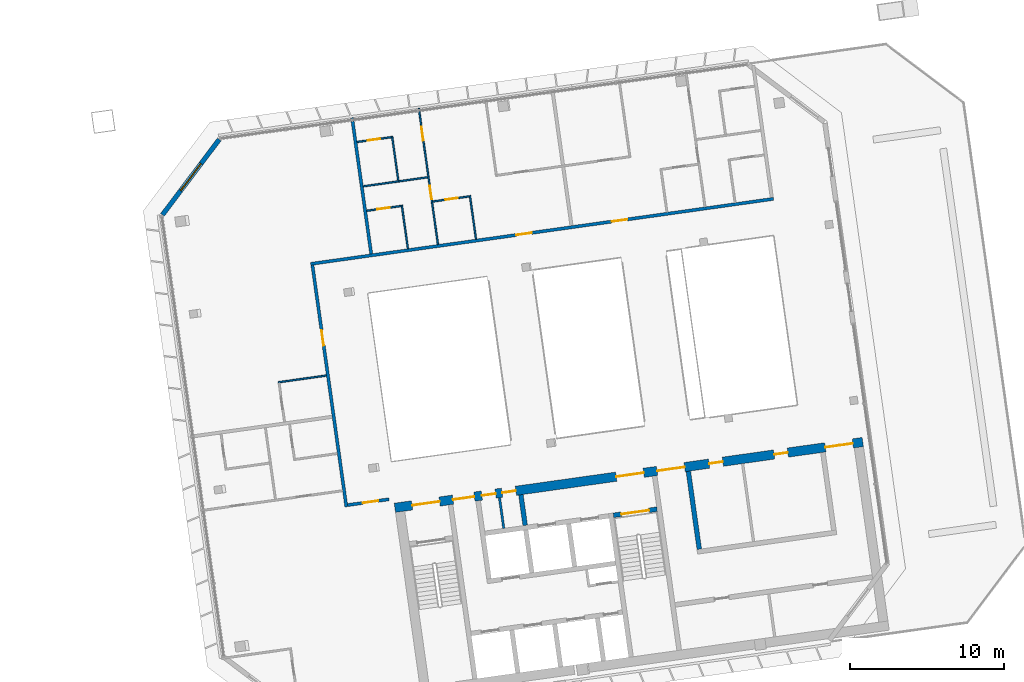
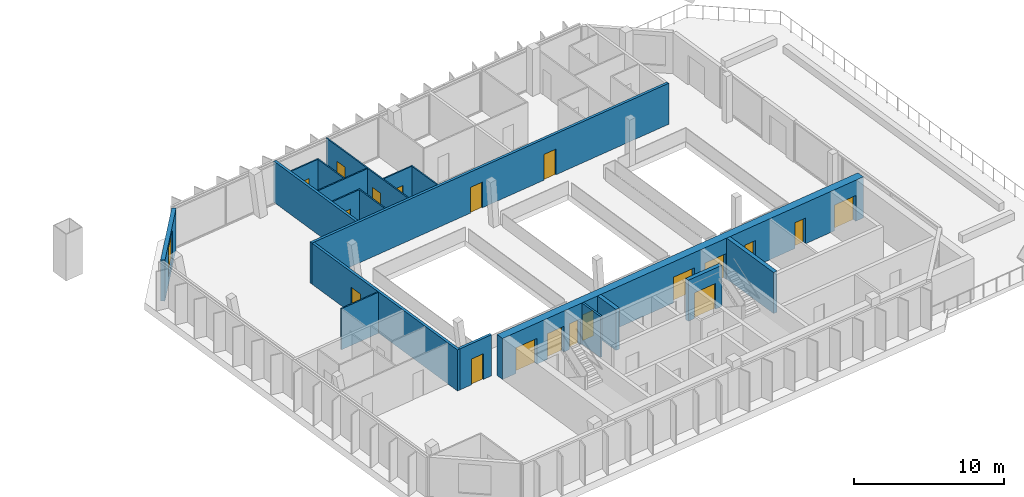
# One storey, part 14 of 19: 19 doors, 19 walls, 1 window, 20 openings.
"""IFC4 building model written with IfcOpenShell, lengths in metres."""

from ifc_helpers import new_model, si_unit, direction, frame, frame_2d, origin, place, context, subcontext, project, spatial, rectangle, extrude, material, layer, layer_set, type_object, element, fill, save


model = new_model("IFC4")

# Units and contexts
model_context = context("Model", 3, precision=1e-05, world=origin(), true_north=direction((0.0, 1.0)))
body_context = subcontext(model_context, "Body", "Model", "MODEL_VIEW")
ifc_project = project(units=[si_unit("LENGTHUNIT", "METRE"), si_unit("AREAUNIT", "SQUARE_METRE"), si_unit("VOLUMEUNIT", "CUBIC_METRE"), si_unit("PLANEANGLEUNIT", "RADIAN"), si_unit("MASSUNIT", "GRAM", prefix="KILO")], contexts=[model_context])

# Site, building, storey
site_placement = place(None, origin())
site = spatial("IfcSite", under=ifc_project, at=site_placement, CompositionType="ELEMENT")
building_placement = place(site_placement, origin())
building = spatial("IfcBuilding", under=site, at=building_placement, Name="Mirante Cascada Hotel Towers", CompositionType="ELEMENT")
storey_placement = place(building_placement, frame((0.0, 0.0, 231.8)))
storey = spatial("IfcBuildingStorey", under=building, at=storey_placement, Name="L55", CompositionType="ELEMENT", Elevation=231.8)

# Wall, opening, door
ifc_material_1 = material(Name="Fire-rated plasterboard on metal studs")
ifc_layer_1 = layer(ifc_material_1, 0.2)
ifc_layer_set_1 = layer_set([ifc_layer_1], Name="Compartment wall 200 EI 120")
wall_type_1 = type_object("IfcWallType", Name="Compartment wall 200 EI 120", PredefinedType="PARTITIONING", material=ifc_layer_set_1)
wall_1_placement = place(storey_placement, frame((32.5897, -7.493, 0.0), z_axis=(0.0, 0.0, 1.0), x_axis=(0.9902713, 0.1391498, 0.0)))
wall_1 = element("IfcWall", 1, at=wall_1_placement, inside=storey, type_object=wall_type_1, Name="Wall 2-L55-02", PredefinedType="PARTITIONING", context=body_context, shape_type="SweptSolid", body=[
    extrude(rectangle(XDim=2.7, YDim=0.2, at=frame_2d((1.35, 0.0))), origin(), (0.0, 0.0, 1.0), 3.35),
])
opening_1_placement = place(wall_1_placement, frame((1.0, 0.0, 0.0)))
opening_1 = element("IfcOpeningElement", 2, at=opening_1_placement, cuts=wall_1, Name="Opening D2-L55-01", PredefinedType="OPENING", context=body_context, shape_type="SweptSolid", body=[
    extrude(rectangle(XDim=1.0, YDim=2.1, at=frame_2d((0.5, 1.05))), frame((0.0, 0.1, 0.0), z_axis=(0.0, -1.0, 0.0), x_axis=(1.0, 0.0, 0.0)), (0.0, 0.0, 1.0), 0.2),
])
ifc_material_2 = material(Name="Fire-rated timber door leaf", Category="wood")
door_type_1 = type_object("IfcDoorType", Name="Entrance door DG1 1000x2100 EI 60", OperationType="SINGLE_SWING_LEFT", PredefinedType="DOOR", material=ifc_material_2)
door_1_placement = place(opening_1_placement, frame((1.0, 0.0, 0.0), z_axis=(0.0, 0.0, 1.0), x_axis=(-1.0, 0.0, 0.0)))
door_1 = element("IfcDoor", 3, at=door_1_placement, inside=storey, type_object=door_type_1, Name="Door D2-L55-01", OperationType="SINGLE_SWING_RIGHT", OverallHeight=2.1, OverallWidth=1.0, PredefinedType="DOOR", context=body_context, shape_type="SweptSolid", body=[
    extrude(rectangle(XDim=1.0, YDim=2.1, at=frame_2d((0.5, 1.05))), frame((0.0, 0.025, 0.0), z_axis=(0.0, -1.0, 0.0), x_axis=(1.0, 0.0, 0.0)), (0.0, 0.0, 1.0), 0.05),
])
fill(opening_1, door_1)

# Wall, openings, doors
wall_2_placement = place(storey_placement, frame((30.1927, 8.1254, 0.0), z_axis=(0.0, 0.0, 1.0), x_axis=(0.9902681, 0.1391731, 0.0)))
wall_2 = element("IfcWall", 4, at=wall_2_placement, inside=storey, type_object=wall_type_1, Name="Wall 2-L55-08", PredefinedType="PARTITIONING", context=body_context, shape_type="SweptSolid", body=[
    extrude(rectangle(XDim=30.2681, YDim=0.2, at=frame_2d((15.134, 0.0))), origin(), (0.0, 0.0, 1.0), 3.35),
])
opening_2_placement = place(wall_2_placement, frame((13.4479, 0.0, 0.0)))
opening_2 = element("IfcOpeningElement", 5, at=opening_2_placement, cuts=wall_2, Name="Opening D2-L55-04", PredefinedType="OPENING", context=body_context, shape_type="SweptSolid", body=[
    extrude(rectangle(XDim=1.0, YDim=2.1, at=frame_2d((0.5, 1.05))), frame((0.0, 0.1, 0.0), z_axis=(0.0, -1.0, 0.0), x_axis=(1.0, 0.0, 0.0)), (0.0, 0.0, 1.0), 0.2),
])
opening_3_placement = place(wall_2_placement, frame((19.6925, 0.0, 0.0)))
opening_3 = element("IfcOpeningElement", 6, at=opening_3_placement, cuts=wall_2, Name="Opening D2-L55-05", PredefinedType="OPENING", context=body_context, shape_type="SweptSolid", body=[
    extrude(rectangle(XDim=1.0, YDim=2.1, at=frame_2d((0.5, 1.05))), frame((0.0, 0.1, 0.0), z_axis=(0.0, -1.0, 0.0), x_axis=(1.0, 0.0, 0.0)), (0.0, 0.0, 1.0), 0.2),
])
door_2_placement = place(opening_2_placement, origin())
door_2 = element("IfcDoor", 7, at=door_2_placement, inside=storey, type_object=door_type_1, Name="Door D2-L55-04", OperationType="SINGLE_SWING_LEFT", OverallHeight=2.1, OverallWidth=1.0, PredefinedType="DOOR", context=body_context, shape_type="SweptSolid", body=[
    extrude(rectangle(XDim=1.0, YDim=2.1, at=frame_2d((0.5, 1.05))), frame((0.0, 0.025, 0.0), z_axis=(0.0, -1.0, 0.0), x_axis=(1.0, 0.0, 0.0)), (0.0, 0.0, 1.0), 0.05),
])
fill(opening_2, door_2)
door_3_placement = place(opening_3_placement, origin())
door_3 = element("IfcDoor", 8, at=door_3_placement, inside=storey, type_object=door_type_1, Name="Door D2-L55-05", OperationType="SINGLE_SWING_LEFT", OverallHeight=2.1, OverallWidth=1.0, PredefinedType="DOOR", context=body_context, shape_type="SweptSolid", body=[
    extrude(rectangle(XDim=1.0, YDim=2.1, at=frame_2d((0.5, 1.05))), frame((0.0, 0.025, 0.0), z_axis=(0.0, -1.0, 0.0), x_axis=(1.0, 0.0, 0.0)), (0.0, 0.0, 1.0), 0.05),
])
fill(opening_3, door_3)

# Wall, opening, door
wall_3_placement = place(storey_placement, frame((30.3056, 8.0402, 0.0), z_axis=(0.0, 0.0, 1.0), x_axis=(0.1391774, -0.9902675, 0.0)))
wall_3 = element("IfcWall", 9, at=wall_3_placement, inside=storey, type_object=wall_type_1, Name="Wall 2-L55-23", PredefinedType="PARTITIONING", context=body_context, shape_type="SweptSolid", body=[
    extrude(rectangle(XDim=15.8, YDim=0.2, at=frame_2d((7.9, 0.0))), origin(), (0.0, 0.0, 1.0), 3.35),
])
opening_4_placement = place(wall_3_placement, frame((4.25, 0.0, 0.0)))
opening_4 = element("IfcOpeningElement", 10, at=opening_4_placement, cuts=wall_3, Name="Opening D2-L55-18", PredefinedType="OPENING", context=body_context, shape_type="SweptSolid", body=[
    extrude(rectangle(XDim=1.0, YDim=2.1, at=frame_2d((0.5, 1.05))), frame((0.0, 0.1, 0.0), z_axis=(0.0, -1.0, 0.0), x_axis=(1.0, 0.0, 0.0)), (0.0, 0.0, 1.0), 0.2),
])
door_4_placement = place(opening_4_placement, frame((1.0, 0.0, 0.0), z_axis=(0.0, 0.0, 1.0), x_axis=(-1.0, 0.0, 0.0)))
door_4 = element("IfcDoor", 11, at=door_4_placement, inside=storey, type_object=door_type_1, Name="Door D2-L55-18", OperationType="SINGLE_SWING_RIGHT", OverallHeight=2.1, OverallWidth=1.0, PredefinedType="DOOR", context=body_context, shape_type="SweptSolid", body=[
    extrude(rectangle(XDim=1.0, YDim=2.1, at=frame_2d((0.5, 1.05))), frame((0.0, 0.025, 0.0), z_axis=(0.0, -1.0, 0.0), x_axis=(1.0, 0.0, 0.0)), (0.0, 0.0, 1.0), 0.05),
])
fill(opening_4, door_4)

# Walls
wall_4_placement = place(storey_placement, frame((34.1124, 8.7772, 0.0), z_axis=(0.0, 0.0, 1.0), x_axis=(-0.1391684, 0.9902687, 0.0)))
element("IfcWall", 12, at=wall_4_placement, inside=storey, type_object=wall_type_1, Name="Wall 2-L55-24", PredefinedType="PARTITIONING", context=body_context, shape_type="SweptSolid", body=[
    extrude(rectangle(XDim=8.9, YDim=0.2, at=frame_2d((4.45, 0.0))), origin(), (0.0, 0.0, 1.0), 3.35),
])
ifc_material_3 = material(Name="Masonry block", Category="masonry")
ifc_layer_2 = layer(ifc_material_3, 0.15)
ifc_layer_set_2 = layer_set([ifc_layer_2], Name="Core room partition 150 block EI 30")
wall_type_2 = type_object("IfcWallType", Name="Core room partition 150 block EI 30", PredefinedType="PARTITIONING", material=ifc_layer_set_2)
wall_5_placement = place(storey_placement, frame((42.6979, -9.0009, 0.0), z_axis=(0.0, 0.0, 1.0), x_axis=(-0.1391529, 0.9902709, 0.0)))
element("IfcWall", 13, at=wall_5_placement, inside=storey, type_object=wall_type_2, Name="Core wall partition T2 L55 4", PredefinedType="PARTITIONING", context=body_context, shape_type="SweptSolid", body=[
    extrude(rectangle(XDim=2.0, YDim=0.15, at=frame_2d((1.0, 0.0))), origin(), (0.0, 0.0, 1.0), 3.35),
])
ifc_material_4 = material(Name="Masonry block", Category="masonry")
ifc_layer_3 = layer(ifc_material_4, 0.3)
ifc_layer_set_3 = layer_set([ifc_layer_3], Name="Core wall 300 block EI 120")
wall_type_3 = type_object("IfcWallType", Name="Core wall 300 block EI 120", PredefinedType="PARTITIONING", material=ifc_layer_set_3)
wall_6_placement = place(storey_placement, frame((44.0843, -8.8061, 0.0), z_axis=(0.0, 0.0, 1.0), x_axis=(-0.1391951, 0.990265, 0.0)))
element("IfcWall", 14, at=wall_6_placement, inside=storey, type_object=wall_type_3, Name="Core wall partition T2 L55 1", PredefinedType="PARTITIONING", context=body_context, shape_type="SweptSolid", body=[
    extrude(rectangle(XDim=2.0001, YDim=0.3, at=frame_2d((1.0001, 0.0))), origin(), (0.0, 0.0, 1.0), 3.35),
])
ifc_material_5 = material(Name="Plasterboard on metal studs")
ifc_layer_4 = layer(ifc_material_5, 0.1)
ifc_layer_set_4 = layer_set([ifc_layer_4], Name="Partition 100")
wall_type_4 = type_object("IfcWallType", Name="Partition 100", PredefinedType="PARTITIONING", material=ifc_layer_set_4)
wall_7_placement = place(storey_placement, frame((31.2087, 0.8964, 0.0), z_axis=(0.0, 0.0, 1.0), x_axis=(-0.9902682, -0.1391721, 0.0)))
element("IfcWall", 15, at=wall_7_placement, inside=storey, type_object=wall_type_4, Name="Wall 2-L55-07", PredefinedType="PARTITIONING", context=body_context, shape_type="SweptSolid", body=[
    extrude(rectangle(XDim=3.1501, YDim=0.1, at=frame_2d((1.575, 0.0))), origin(), (0.0, 0.0, 1.0), 3.35),
])

# Wall, opening, door
wall_8_placement = place(storey_placement, frame((36.0499, 11.877, 0.0), z_axis=(0.0, 0.0, 1.0), x_axis=(-0.9902705, -0.1391561, 0.0)))
wall_8 = element("IfcWall", 16, at=wall_8_placement, inside=storey, type_object=wall_type_4, Name="Wall 2-L55-09", PredefinedType="PARTITIONING", context=body_context, shape_type="SweptSolid", body=[
    extrude(rectangle(XDim=2.25, YDim=0.1, at=frame_2d((1.125, 0.0))), origin(), (0.0, 0.0, 1.0), 3.35),
])
opening_5_placement = place(wall_8_placement, frame((0.75, 0.0, 0.0)))
opening_5 = element("IfcOpeningElement", 17, at=opening_5_placement, cuts=wall_8, Name="Opening D2-L55-06", PredefinedType="OPENING", context=body_context, shape_type="SweptSolid", body=[
    extrude(rectangle(XDim=0.8, YDim=2.1, at=frame_2d((0.4, 1.05))), frame((0.0, 0.05, 0.0), z_axis=(0.0, -1.0, 0.0), x_axis=(1.0, 0.0, 0.0)), (0.0, 0.0, 1.0), 0.1),
])
ifc_material_6 = material(Name="Timber door leaf", Category="wood")
door_type_2 = type_object("IfcDoorType", Name="Bathroom door DG4 800x2100", OperationType="SINGLE_SWING_LEFT", PredefinedType="DOOR", material=ifc_material_6)
door_5_placement = place(opening_5_placement, origin())
door_5 = element("IfcDoor", 18, at=door_5_placement, inside=storey, type_object=door_type_2, Name="Door D2-L55-06", OperationType="SINGLE_SWING_LEFT", OverallHeight=2.1, OverallWidth=0.8, PredefinedType="DOOR", context=body_context, shape_type="SweptSolid", body=[
    extrude(rectangle(XDim=0.8, YDim=2.1, at=frame_2d((0.4, 1.05))), frame((0.0, 0.025, 0.0), z_axis=(0.0, -1.0, 0.0), x_axis=(1.0, 0.0, 0.0)), (0.0, 0.0, 1.0), 0.05),
])
fill(opening_5, door_5)

wall_9_placement = place(storey_placement, frame((38.0957, 12.1645, 0.0), z_axis=(0.0, 0.0, 1.0), x_axis=(0.9902645, 0.1391984, 0.0)))
wall_9 = element("IfcWall", 19, at=wall_9_placement, inside=storey, type_object=wall_type_4, Name="Wall 2-L55-10", PredefinedType="PARTITIONING", context=body_context, shape_type="SweptSolid", body=[
    extrude(rectangle(XDim=2.3872, YDim=0.1, at=frame_2d((1.1936, 0.0))), origin(), (0.0, 0.0, 1.0), 3.35),
])
opening_6_placement = place(wall_9_placement, frame((0.8373, 0.0, 0.0)))
opening_6 = element("IfcOpeningElement", 20, at=opening_6_placement, cuts=wall_9, Name="Opening D2-L55-07", PredefinedType="OPENING", context=body_context, shape_type="SweptSolid", body=[
    extrude(rectangle(XDim=0.8, YDim=2.1, at=frame_2d((0.4, 1.05))), frame((0.0, 0.05, 0.0), z_axis=(0.0, -1.0, 0.0), x_axis=(1.0, 0.0, 0.0)), (0.0, 0.0, 1.0), 0.1),
])
door_6_placement = place(opening_6_placement, origin())
door_6 = element("IfcDoor", 21, at=door_6_placement, inside=storey, type_object=door_type_2, Name="Door D2-L55-07", OperationType="SINGLE_SWING_LEFT", OverallHeight=2.1, OverallWidth=0.8, PredefinedType="DOOR", context=body_context, shape_type="SweptSolid", body=[
    extrude(rectangle(XDim=0.8, YDim=2.1, at=frame_2d((0.4, 1.05))), frame((0.0, 0.025, 0.0), z_axis=(0.0, -1.0, 0.0), x_axis=(1.0, 0.0, 0.0)), (0.0, 0.0, 1.0), 0.05),
])
fill(opening_6, door_6)

# Wall
wall_10_placement = place(storey_placement, frame((33.5991, 13.1483, 0.0), z_axis=(0.0, 0.0, 1.0), x_axis=(0.9902662, 0.1391861, 0.0)))
element("IfcWall", 22, at=wall_10_placement, inside=storey, type_object=wall_type_4, Name="Wall 2-L55-14", PredefinedType="PARTITIONING", context=body_context, shape_type="SweptSolid", body=[
    extrude(rectangle(XDim=4.2159, YDim=0.1, at=frame_2d((2.108, 0.0))), origin(), (0.0, 0.0, 1.0), 3.35),
])

# Wall, opening, door
wall_11_placement = place(storey_placement, frame((33.1955, 16.0201, 0.0), z_axis=(0.0, 0.0, 1.0), x_axis=(0.9902705, 0.1391561, 0.0)))
wall_11 = element("IfcWall", 23, at=wall_11_placement, inside=storey, type_object=wall_type_4, Name="Wall 2-L55-16", PredefinedType="PARTITIONING", context=body_context, shape_type="SweptSolid", body=[
    extrude(rectangle(XDim=2.25, YDim=0.1, at=frame_2d((1.125, 0.0))), origin(), (0.0, 0.0, 1.0), 3.35),
])
opening_7_placement = place(wall_11_placement, frame((0.7, 0.0, 0.0)))
opening_7 = element("IfcOpeningElement", 24, at=opening_7_placement, cuts=wall_11, Name="Opening D2-L55-12", PredefinedType="OPENING", context=body_context, shape_type="SweptSolid", body=[
    extrude(rectangle(XDim=0.8, YDim=2.1, at=frame_2d((0.4, 1.05))), frame((0.0, 0.05, 0.0), z_axis=(0.0, -1.0, 0.0), x_axis=(1.0, 0.0, 0.0)), (0.0, 0.0, 1.0), 0.1),
])
door_7_placement = place(opening_7_placement, frame((0.8, 0.0, 0.0), z_axis=(0.0, 0.0, 1.0), x_axis=(-1.0, 0.0, 0.0)))
door_7 = element("IfcDoor", 25, at=door_7_placement, inside=storey, type_object=door_type_2, Name="Door D2-L55-12", OperationType="SINGLE_SWING_RIGHT", OverallHeight=2.1, OverallWidth=0.8, PredefinedType="DOOR", context=body_context, shape_type="SweptSolid", body=[
    extrude(rectangle(XDim=0.8, YDim=2.1, at=frame_2d((0.4, 1.05))), frame((0.0, 0.025, 0.0), z_axis=(0.0, -1.0, 0.0), x_axis=(1.0, 0.0, 0.0)), (0.0, 0.0, 1.0), 0.05),
])
fill(opening_7, door_7)

# Walls
wall_12_placement = place(storey_placement, frame((36.0924, 11.9335, 0.0), z_axis=(0.0, 0.0, 1.0), x_axis=(0.1391909, -0.9902656, 0.0)))
element("IfcWall", 26, at=wall_12_placement, inside=storey, type_object=wall_type_4, Name="Wall 2-L55-25", PredefinedType="PARTITIONING", context=body_context, shape_type="SweptSolid", body=[
    extrude(rectangle(XDim=2.85, YDim=0.1, at=frame_2d((1.425, 0.0))), origin(), (0.0, 0.0, 1.0), 3.35),
])
wall_13_placement = place(storey_placement, frame((35.8697, 13.5179, 0.0), z_axis=(0.0, 0.0, 1.0), x_axis=(-0.1391714, 0.9902683, 0.0)))
element("IfcWall", 27, at=wall_13_placement, inside=storey, type_object=wall_type_4, Name="Wall 2-L55-26", PredefinedType="PARTITIONING", context=body_context, shape_type="SweptSolid", body=[
    extrude(rectangle(XDim=2.9, YDim=0.1, at=frame_2d((1.45, 0.0))), origin(), (0.0, 0.0, 1.0), 3.35),
])

# Wall, openings, doors
wall_14_placement = place(storey_placement, frame((37.1972, 18.1982, 0.0), z_axis=(0.0, 0.0, 1.0), x_axis=(0.1391684, -0.9902687, 0.0)))
wall_14 = element("IfcWall", 28, at=wall_14_placement, inside=storey, type_object=wall_type_4, Name="Wall 2-L55-27", PredefinedType="PARTITIONING", context=body_context, shape_type="SweptSolid", body=[
    extrude(rectangle(XDim=8.9, YDim=0.1, at=frame_2d((4.45, 0.0))), origin(), (0.0, 0.0, 1.0), 3.35),
])
opening_8_placement = place(wall_14_placement, frame((5.05, 0.0, 0.0)))
opening_8 = element("IfcOpeningElement", 29, at=opening_8_placement, cuts=wall_14, Name="Opening D2-L55-19", PredefinedType="OPENING", context=body_context, shape_type="SweptSolid", body=[
    extrude(rectangle(XDim=0.9, YDim=2.1, at=frame_2d((0.45, 1.05))), frame((0.0, 0.05, 0.0), z_axis=(0.0, -1.0, 0.0), x_axis=(1.0, 0.0, 0.0)), (0.0, 0.0, 1.0), 0.1),
])
opening_9_placement = place(wall_14_placement, frame((1.2, 0.0, 0.0)))
opening_9 = element("IfcOpeningElement", 30, at=opening_9_placement, cuts=wall_14, Name="Opening D2-L55-20", PredefinedType="OPENING", context=body_context, shape_type="SweptSolid", body=[
    extrude(rectangle(XDim=0.9, YDim=2.1, at=frame_2d((0.45, 1.05))), frame((0.0, 0.05, 0.0), z_axis=(0.0, -1.0, 0.0), x_axis=(1.0, 0.0, 0.0)), (0.0, 0.0, 1.0), 0.1),
])
ifc_material_7 = material(Name="Timber door leaf", Category="wood")
door_type_3 = type_object("IfcDoorType", Name="Room door DG3 900x2100", OperationType="SINGLE_SWING_LEFT", PredefinedType="DOOR", material=ifc_material_7)
door_8_placement = place(opening_8_placement, origin())
door_8 = element("IfcDoor", 31, at=door_8_placement, inside=storey, type_object=door_type_3, Name="Door D2-L55-19", OperationType="SINGLE_SWING_LEFT", OverallHeight=2.1, OverallWidth=0.9, PredefinedType="DOOR", context=body_context, shape_type="SweptSolid", body=[
    extrude(rectangle(XDim=0.9, YDim=2.1, at=frame_2d((0.45, 1.05))), frame((0.0, 0.025, 0.0), z_axis=(0.0, -1.0, 0.0), x_axis=(1.0, 0.0, 0.0)), (0.0, 0.0, 1.0), 0.05),
])
fill(opening_8, door_8)
door_9_placement = place(opening_9_placement, origin())
door_9 = element("IfcDoor", 32, at=door_9_placement, inside=storey, type_object=door_type_3, Name="Door D2-L55-20", OperationType="SINGLE_SWING_LEFT", OverallHeight=2.1, OverallWidth=0.9, PredefinedType="DOOR", context=body_context, shape_type="SweptSolid", body=[
    extrude(rectangle(XDim=0.9, YDim=2.1, at=frame_2d((0.45, 1.05))), frame((0.0, 0.025, 0.0), z_axis=(0.0, -1.0, 0.0), x_axis=(1.0, 0.0, 0.0)), (0.0, 0.0, 1.0), 0.05),
])
fill(opening_9, door_9)

# Wall
wall_15_placement = place(storey_placement, frame((40.8989, 9.731, 0.0), z_axis=(0.0, 0.0, 1.0), x_axis=(-0.1391564, 0.9902704, 0.0)))
element("IfcWall", 33, at=wall_15_placement, inside=storey, type_object=wall_type_4, Name="Wall 2-L55-28", PredefinedType="PARTITIONING", context=body_context, shape_type="SweptSolid", body=[
    extrude(rectangle(XDim=2.85, YDim=0.1, at=frame_2d((1.425, 0.0))), origin(), (0.0, 0.0, 1.0), 3.35),
])

# Wall, opening, window
ifc_material_8 = material(Name="Precast concrete C40/50", Category="concrete")
ifc_layer_5 = layer(ifc_material_8, 0.3)
ifc_layer_set_5 = layer_set([ifc_layer_5], Name="Precast concrete C40/50 cladding wall 300")
wall_type_5 = type_object("IfcWallType", Name="Precast concrete C40/50 cladding wall 300", PredefinedType="STANDARD", material=ifc_layer_set_5)
wall_16_placement = place(storey_placement, frame((24.2719, 16.1859, 0.0), z_axis=(0.0, 0.0, 1.0), x_axis=(-0.6018141, -0.7986362, 0.0)))
wall_16 = element("IfcWall", 34, at=wall_16_placement, inside=storey, type_object=wall_type_5, Name="Corner cladding wall T2 L55 front inner", PredefinedType="STANDARD", context=body_context, shape_type="SweptSolid", body=[
    extrude(rectangle(XDim=6.1157, YDim=0.3, at=frame_2d((3.0578, 0.0))), origin(), (0.0, 0.0, 1.0), 3.35),
])
opening_10_placement = place(wall_16_placement, frame((1.9578, 0.0, 0.6)))
opening_10 = element("IfcOpeningElement", 35, at=opening_10_placement, cuts=wall_16, Name="Opening W2-55-05", PredefinedType="OPENING", context=body_context, shape_type="SweptSolid", body=[
    extrude(rectangle(XDim=2.2, YDim=2.4, at=frame_2d((1.1, 1.2))), frame((0.0, 0.15, 0.0), z_axis=(0.0, -1.0, 0.0), x_axis=(1.0, 0.0, 0.0)), (0.0, 0.0, 1.0), 0.3),
])
ifc_material_9 = material(Name="Aluminium frame with clear double glazing", Category="aluminium")
window_type = type_object("IfcWindowType", Name="Corner suite window 2200x2400", PartitioningType="DOUBLE_PANEL_VERTICAL", PredefinedType="WINDOW", material=ifc_material_9)
window_placement = place(opening_10_placement, origin())
window = element("IfcWindow", 36, at=window_placement, inside=storey, type_object=window_type, Name="Window W2-55-05", OverallHeight=2.4, OverallWidth=2.2, PartitioningType="SINGLE_PANEL", PredefinedType="WINDOW", context=body_context, shape_type="SweptSolid", body=[
    extrude(rectangle(XDim=2.2, YDim=2.4, at=frame_2d((1.1, 1.2))), frame((0.0, 0.03, 0.0), z_axis=(0.0, -1.0, 0.0), x_axis=(1.0, 0.0, 0.0)), (0.0, 0.0, 1.0), 0.06),
])
fill(opening_10, window)

# Wall, opening, door
ifc_material_10 = material(Name="Concrete C50/60", Category="concrete")
ifc_layer_6 = layer(ifc_material_10, 0.3)
ifc_layer_set_6 = layer_set([ifc_layer_6], Name="RC core wall 300 C50/60")
wall_type_6 = type_object("IfcWallType", Name="RC core wall 300 C50/60", PredefinedType="SHEAR", material=ifc_layer_set_6)
wall_17_placement = place(storey_placement, frame((49.7992, -8.1544, 0.0), z_axis=(0.0, 0.0, 1.0), x_axis=(0.9902656, 0.1391909, 0.0)))
wall_17 = element("IfcWall", 37, at=wall_17_placement, inside=storey, type_object=wall_type_6, Name="Core wall T2:L55:9", PredefinedType="SHEAR", context=body_context, shape_type="SweptSolid", body=[
    extrude(rectangle(XDim=2.85, YDim=0.3, at=frame_2d((1.425, 0.0))), origin(), (0.0, 0.0, 1.0), 3.35),
])
opening_11_placement = place(wall_17_placement, frame((0.525, 0.0, 0.0)))
opening_11 = element("IfcOpeningElement", 38, at=opening_11_placement, cuts=wall_17, Name="Opening D2-55-C09", PredefinedType="OPENING", context=body_context, shape_type="SweptSolid", body=[
    extrude(rectangle(XDim=1.8, YDim=2.1, at=frame_2d((0.9, 1.05))), frame((0.0, 0.15, 0.0), z_axis=(0.0, -1.0, 0.0), x_axis=(1.0, 0.0, 0.0)), (0.0, 0.0, 1.0), 0.3),
])
ifc_material_11 = material(Name="Hollow metal fire door leaf")
door_type_4 = type_object("IfcDoorType", Name="Double fire door 1800x2100 FD60", OperationType="DOUBLE_DOOR_SINGLE_SWING", PredefinedType="DOOR", material=ifc_material_11)
door_10_placement = place(opening_11_placement, frame((1.8, 0.0, 0.0), z_axis=(0.0, 0.0, 1.0), x_axis=(-1.0, 0.0, 0.0)))
door_10 = element("IfcDoor", 39, at=door_10_placement, inside=storey, type_object=door_type_4, Name="Stair door T2 L55 9", OperationType="DOUBLE_DOOR_SINGLE_SWING", OverallHeight=2.1, OverallWidth=1.8, PredefinedType="DOOR", context=body_context, shape_type="SweptSolid", body=[
    extrude(rectangle(XDim=0.895, YDim=2.1, at=frame_2d((0.4475, 1.05))), frame((0.0, 0.025, 0.0), z_axis=(0.0, -1.0, 0.0), x_axis=(1.0, 0.0, 0.0)), (0.0, 0.0, 1.0), 0.05),
    extrude(rectangle(XDim=0.895, YDim=2.1, at=frame_2d((1.3525, 1.05))), frame((0.0, 0.025, 0.0), z_axis=(0.0, -1.0, 0.0), x_axis=(1.0, 0.0, 0.0)), (0.0, 0.0, 1.0), 0.05),
])
fill(opening_11, door_10)

# Wall
wall_18_placement = place(storey_placement, frame((55.3592, -10.352, 0.0), z_axis=(0.0, 0.0, 1.0), x_axis=(-0.1391755, 0.9902677, 0.0)))
element("IfcWall", 40, at=wall_18_placement, inside=storey, type_object=wall_type_6, Name="Core wall T2:L55:26", PredefinedType="SHEAR", context=body_context, shape_type="SweptSolid", body=[
    extrude(rectangle(XDim=5.1, YDim=0.3, at=frame_2d((2.55, 0.0))), origin(), (0.0, 0.0, 1.0), 3.35),
])

# Wall, openings, doors
ifc_material_12 = material(Name="Concrete C50/60", Category="concrete")
ifc_layer_7 = layer(ifc_material_12, 0.6)
ifc_layer_set_7 = layer_set([ifc_layer_7], Name="RC core wall 600 C50/60")
wall_type_7 = type_object("IfcWallType", Name="RC core wall 600 C50/60", PredefinedType="SHEAR", material=ifc_layer_set_7)
wall_19_placement = place(storey_placement, frame((35.644, -7.6697, 0.0), z_axis=(0.0, 0.0, 1.0), x_axis=(0.9902681, 0.1391732, 0.0)))
wall_19 = element("IfcWall", 41, at=wall_19_placement, inside=storey, type_object=wall_type_7, Name="Core wall T2:L55:2", PredefinedType="SHEAR", context=body_context, shape_type="SweptSolid", body=[
    extrude(rectangle(XDim=30.6, YDim=0.6, at=frame_2d((15.3, 0.0))), origin(), (0.0, 0.0, 1.0), 3.35),
])
opening_12_placement = place(wall_19_placement, frame((1.125, 0.0, 0.0)))
opening_12 = element("IfcOpeningElement", 42, at=opening_12_placement, cuts=wall_19, Name="Opening D2-55-C08", PredefinedType="OPENING", context=body_context, shape_type="SweptSolid", body=[
    extrude(rectangle(XDim=1.8, YDim=2.1, at=frame_2d((0.9, 1.05))), frame((0.0, 0.3, 0.0), z_axis=(0.0, -1.0, 0.0), x_axis=(1.0, 0.0, 0.0)), (0.0, 0.0, 1.0), 0.6),
])
opening_13_placement = place(wall_19_placement, frame((14.475, 0.0, 0.0)))
opening_13 = element("IfcOpeningElement", 43, at=opening_13_placement, cuts=wall_19, Name="Opening D2-55-C10", PredefinedType="OPENING", context=body_context, shape_type="SweptSolid", body=[
    extrude(rectangle(XDim=1.8, YDim=2.1, at=frame_2d((0.9, 1.05))), frame((0.0, 0.3, 0.0), z_axis=(0.0, -1.0, 0.0), x_axis=(1.0, 0.0, 0.0)), (0.0, 0.0, 1.0), 0.6),
])
opening_14_placement = place(wall_19_placement, frame((3.8, 0.0, 0.0)))
opening_14 = element("IfcOpeningElement", 44, at=opening_14_placement, cuts=wall_19, Name="Opening D2-55-C11", PredefinedType="OPENING", context=body_context, shape_type="SweptSolid", body=[
    extrude(rectangle(XDim=1.4, YDim=2.1, at=frame_2d((0.7, 1.05))), frame((0.0, 0.3, 0.0), z_axis=(0.0, -1.0, 0.0), x_axis=(1.0, 0.0, 0.0)), (0.0, 0.0, 1.0), 0.6),
])
opening_15_placement = place(wall_19_placement, frame((17.15, 0.0, 0.0)))
opening_15 = element("IfcOpeningElement", 45, at=opening_15_placement, cuts=wall_19, Name="Opening D2-55-C12", PredefinedType="OPENING", context=body_context, shape_type="SweptSolid", body=[
    extrude(rectangle(XDim=1.8, YDim=2.1, at=frame_2d((0.9, 1.05))), frame((0.0, 0.3, 0.0), z_axis=(0.0, -1.0, 0.0), x_axis=(1.0, 0.0, 0.0)), (0.0, 0.0, 1.0), 0.6),
])
opening_16_placement = place(wall_19_placement, frame((28.15, 0.0, 0.0)))
opening_16 = element("IfcOpeningElement", 46, at=opening_16_placement, cuts=wall_19, Name="Opening D2-55-C13", PredefinedType="OPENING", context=body_context, shape_type="SweptSolid", body=[
    extrude(rectangle(XDim=1.8, YDim=2.1, at=frame_2d((0.9, 1.05))), frame((0.0, 0.3, 0.0), z_axis=(0.0, -1.0, 0.0), x_axis=(1.0, 0.0, 0.0)), (0.0, 0.0, 1.0), 0.6),
])
opening_17_placement = place(wall_19_placement, frame((5.6875, 0.0, 0.0)))
opening_17 = element("IfcOpeningElement", 47, at=opening_17_placement, cuts=wall_19, Name="Opening D2-55-C16", PredefinedType="OPENING", context=body_context, shape_type="SweptSolid", body=[
    extrude(rectangle(XDim=0.9, YDim=2.1, at=frame_2d((0.45, 1.05))), frame((0.0, 0.3, 0.0), z_axis=(0.0, -1.0, 0.0), x_axis=(1.0, 0.0, 0.0)), (0.0, 0.0, 1.0), 0.6),
])
opening_18_placement = place(wall_19_placement, frame((7.0125, 0.0, 0.0)))
opening_18 = element("IfcOpeningElement", 48, at=opening_18_placement, cuts=wall_19, Name="Opening D2-55-C17", PredefinedType="OPENING", context=body_context, shape_type="SweptSolid", body=[
    extrude(rectangle(XDim=0.9, YDim=2.1, at=frame_2d((0.45, 1.05))), frame((0.0, 0.3, 0.0), z_axis=(0.0, -1.0, 0.0), x_axis=(1.0, 0.0, 0.0)), (0.0, 0.0, 1.0), 0.6),
])
opening_19_placement = place(wall_19_placement, frame((20.55, 0.0, 0.0)))
opening_19 = element("IfcOpeningElement", 49, at=opening_19_placement, cuts=wall_19, Name="Opening D2-55-C20", PredefinedType="OPENING", context=body_context, shape_type="SweptSolid", body=[
    extrude(rectangle(XDim=0.9, YDim=2.1, at=frame_2d((0.45, 1.05))), frame((0.0, 0.3, 0.0), z_axis=(0.0, -1.0, 0.0), x_axis=(1.0, 0.0, 0.0)), (0.0, 0.0, 1.0), 0.6),
])
opening_20_placement = place(wall_19_placement, frame((24.8, 0.0, 0.0)))
opening_20 = element("IfcOpeningElement", 50, at=opening_20_placement, cuts=wall_19, Name="Opening D2-55-C21", PredefinedType="OPENING", context=body_context, shape_type="SweptSolid", body=[
    extrude(rectangle(XDim=0.9, YDim=2.1, at=frame_2d((0.45, 1.05))), frame((0.0, 0.3, 0.0), z_axis=(0.0, -1.0, 0.0), x_axis=(1.0, 0.0, 0.0)), (0.0, 0.0, 1.0), 0.6),
])
ifc_material_13 = material(Name="Hollow metal fire door leaf")
door_type_5 = type_object("IfcDoorType", Name="Double fire door 1400x2100 FD60", OperationType="DOUBLE_DOOR_SINGLE_SWING", PredefinedType="DOOR", material=ifc_material_13)
door_11_placement = place(opening_14_placement, origin())
door_11 = element("IfcDoor", 51, at=door_11_placement, inside=storey, type_object=door_type_5, Name="Exit door to gallery T2 L55 11", OperationType="DOUBLE_DOOR_SINGLE_SWING", OverallHeight=2.1, OverallWidth=1.4, PredefinedType="DOOR", context=body_context, shape_type="SweptSolid", body=[
    extrude(rectangle(XDim=0.695, YDim=2.1, at=frame_2d((0.3475, 1.05))), frame((0.0, 0.025, 0.0), z_axis=(0.0, -1.0, 0.0), x_axis=(1.0, 0.0, 0.0)), (0.0, 0.0, 1.0), 0.05),
    extrude(rectangle(XDim=0.695, YDim=2.1, at=frame_2d((1.0525, 1.05))), frame((0.0, 0.025, 0.0), z_axis=(0.0, -1.0, 0.0), x_axis=(1.0, 0.0, 0.0)), (0.0, 0.0, 1.0), 0.05),
])
fill(opening_14, door_11)
door_12_placement = place(opening_12_placement, frame((1.8, 0.0, 0.0), z_axis=(0.0, 0.0, 1.0), x_axis=(-1.0, 0.0, 0.0)))
door_12 = element("IfcDoor", 52, at=door_12_placement, inside=storey, type_object=door_type_4, Name="Exit door to gallery T2 L55 8", OperationType="DOUBLE_DOOR_SINGLE_SWING", OverallHeight=2.1, OverallWidth=1.8, PredefinedType="DOOR", context=body_context, shape_type="SweptSolid", body=[
    extrude(rectangle(XDim=0.895, YDim=2.1, at=frame_2d((0.4475, 1.05))), frame((0.0, 0.025, 0.0), z_axis=(0.0, -1.0, 0.0), x_axis=(1.0, 0.0, 0.0)), (0.0, 0.0, 1.0), 0.05),
    extrude(rectangle(XDim=0.895, YDim=2.1, at=frame_2d((1.3525, 1.05))), frame((0.0, 0.025, 0.0), z_axis=(0.0, -1.0, 0.0), x_axis=(1.0, 0.0, 0.0)), (0.0, 0.0, 1.0), 0.05),
])
fill(opening_12, door_12)
door_13_placement = place(opening_13_placement, frame((1.8, 0.0, 0.0), z_axis=(0.0, 0.0, 1.0), x_axis=(-1.0, 0.0, 0.0)))
door_13 = element("IfcDoor", 53, at=door_13_placement, inside=storey, type_object=door_type_4, Name="Exit door to gallery T2 L55 10", OperationType="DOUBLE_DOOR_SINGLE_SWING", OverallHeight=2.1, OverallWidth=1.8, PredefinedType="DOOR", context=body_context, shape_type="SweptSolid", body=[
    extrude(rectangle(XDim=0.895, YDim=2.1, at=frame_2d((0.4475, 1.05))), frame((0.0, 0.025, 0.0), z_axis=(0.0, -1.0, 0.0), x_axis=(1.0, 0.0, 0.0)), (0.0, 0.0, 1.0), 0.05),
    extrude(rectangle(XDim=0.895, YDim=2.1, at=frame_2d((1.3525, 1.05))), frame((0.0, 0.025, 0.0), z_axis=(0.0, -1.0, 0.0), x_axis=(1.0, 0.0, 0.0)), (0.0, 0.0, 1.0), 0.05),
])
fill(opening_13, door_13)
door_14_placement = place(opening_15_placement, origin())
door_14 = element("IfcDoor", 54, at=door_14_placement, inside=storey, type_object=door_type_4, Name="Exit door to gallery T2 L55 12", OperationType="DOUBLE_DOOR_SINGLE_SWING", OverallHeight=2.1, OverallWidth=1.8, PredefinedType="DOOR", context=body_context, shape_type="SweptSolid", body=[
    extrude(rectangle(XDim=0.895, YDim=2.1, at=frame_2d((0.4475, 1.05))), frame((0.0, 0.025, 0.0), z_axis=(0.0, -1.0, 0.0), x_axis=(1.0, 0.0, 0.0)), (0.0, 0.0, 1.0), 0.05),
    extrude(rectangle(XDim=0.895, YDim=2.1, at=frame_2d((1.3525, 1.05))), frame((0.0, 0.025, 0.0), z_axis=(0.0, -1.0, 0.0), x_axis=(1.0, 0.0, 0.0)), (0.0, 0.0, 1.0), 0.05),
])
fill(opening_15, door_14)
door_15_placement = place(opening_16_placement, origin())
door_15 = element("IfcDoor", 55, at=door_15_placement, inside=storey, type_object=door_type_4, Name="Exit door to gallery T2 L55 13", OperationType="DOUBLE_DOOR_SINGLE_SWING", OverallHeight=2.1, OverallWidth=1.8, PredefinedType="DOOR", context=body_context, shape_type="SweptSolid", body=[
    extrude(rectangle(XDim=0.895, YDim=2.1, at=frame_2d((0.4475, 1.05))), frame((0.0, 0.025, 0.0), z_axis=(0.0, -1.0, 0.0), x_axis=(1.0, 0.0, 0.0)), (0.0, 0.0, 1.0), 0.05),
    extrude(rectangle(XDim=0.895, YDim=2.1, at=frame_2d((1.3525, 1.05))), frame((0.0, 0.025, 0.0), z_axis=(0.0, -1.0, 0.0), x_axis=(1.0, 0.0, 0.0)), (0.0, 0.0, 1.0), 0.05),
])
fill(opening_16, door_15)
ifc_material_14 = material(Name="Hollow metal fire door leaf")
door_type_6 = type_object("IfcDoorType", Name="Fire door 900x2100 FD60", OperationType="NOTDEFINED", PredefinedType="DOOR", material=ifc_material_14)
door_16_placement = place(opening_17_placement, frame((0.9, 0.0, 0.0), z_axis=(0.0, 0.0, 1.0), x_axis=(-1.0, 0.0, 0.0)))
door_16 = element("IfcDoor", 56, at=door_16_placement, inside=storey, type_object=door_type_6, Name="Room door T2 L55 16", OperationType="SINGLE_SWING_LEFT", OverallHeight=2.1, OverallWidth=0.9, PredefinedType="DOOR", context=body_context, shape_type="SweptSolid", body=[
    extrude(rectangle(XDim=0.9, YDim=2.1, at=frame_2d((0.45, 1.05))), frame((0.0, 0.025, 0.0), z_axis=(0.0, -1.0, 0.0), x_axis=(1.0, 0.0, 0.0)), (0.0, 0.0, 1.0), 0.05),
])
fill(opening_17, door_16)
door_17_placement = place(opening_18_placement, frame((0.9, 0.0, 0.0), z_axis=(0.0, 0.0, 1.0), x_axis=(-1.0, 0.0, 0.0)))
door_17 = element("IfcDoor", 57, at=door_17_placement, inside=storey, type_object=door_type_6, Name="Room door T2 L55 17", OperationType="SINGLE_SWING_LEFT", OverallHeight=2.1, OverallWidth=0.9, PredefinedType="DOOR", context=body_context, shape_type="SweptSolid", body=[
    extrude(rectangle(XDim=0.9, YDim=2.1, at=frame_2d((0.45, 1.05))), frame((0.0, 0.025, 0.0), z_axis=(0.0, -1.0, 0.0), x_axis=(1.0, 0.0, 0.0)), (0.0, 0.0, 1.0), 0.05),
])
fill(opening_18, door_17)
door_18_placement = place(opening_19_placement, frame((0.9, 0.0, 0.0), z_axis=(0.0, 0.0, 1.0), x_axis=(-1.0, 0.0, 0.0)))
door_18 = element("IfcDoor", 58, at=door_18_placement, inside=storey, type_object=door_type_6, Name="Room door T2 L55 20", OperationType="SINGLE_SWING_RIGHT", OverallHeight=2.1, OverallWidth=0.9, PredefinedType="DOOR", context=body_context, shape_type="SweptSolid", body=[
    extrude(rectangle(XDim=0.9, YDim=2.1, at=frame_2d((0.45, 1.05))), frame((0.0, 0.025, 0.0), z_axis=(0.0, -1.0, 0.0), x_axis=(1.0, 0.0, 0.0)), (0.0, 0.0, 1.0), 0.05),
])
fill(opening_19, door_18)
door_19_placement = place(opening_20_placement, frame((0.9, 0.0, 0.0), z_axis=(0.0, 0.0, 1.0), x_axis=(-1.0, 0.0, 0.0)))
door_19 = element("IfcDoor", 59, at=door_19_placement, inside=storey, type_object=door_type_6, Name="Room door T2 L55 21", OperationType="SINGLE_SWING_RIGHT", OverallHeight=2.1, OverallWidth=0.9, PredefinedType="DOOR", context=body_context, shape_type="SweptSolid", body=[
    extrude(rectangle(XDim=0.9, YDim=2.1, at=frame_2d((0.45, 1.05))), frame((0.0, 0.025, 0.0), z_axis=(0.0, -1.0, 0.0), x_axis=(1.0, 0.0, 0.0)), (0.0, 0.0, 1.0), 0.05),
])
fill(opening_20, door_19)

save(model, "model.ifc")
